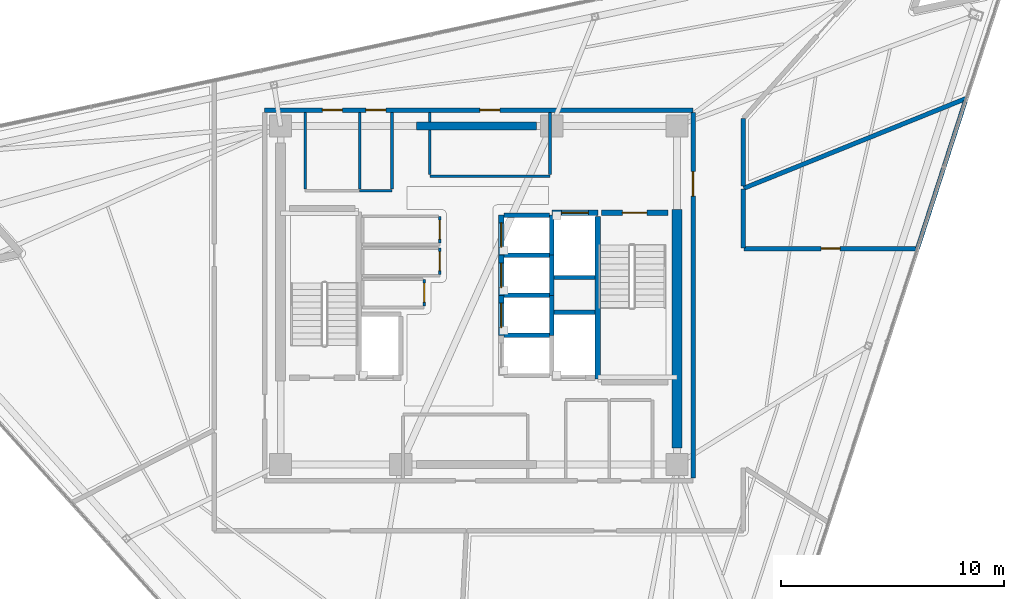
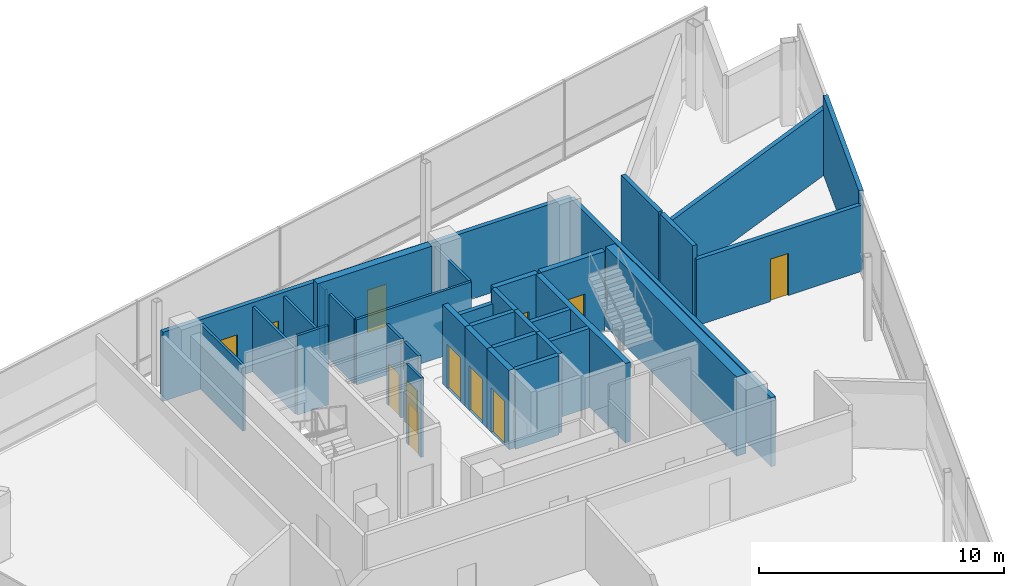
# One storey, part 12 of 17: 35 walls, 13 doors, 13 openings.
"""IFC4 building model written with IfcOpenShell, lengths in metres."""

from ifc_helpers import new_model, si_unit, direction, frame, frame_2d, origin, place, context, subcontext, project, spatial, rectangle, extrude, material, layer, layer_set, type_object, element, fill, save


model = new_model("IFC4")

# Units and contexts
model_context = context("Model", 3, precision=1e-05, world=origin(), true_north=direction((0.0, 1.0)))
body_context = subcontext(model_context, "Body", "Model", "MODEL_VIEW")
ifc_project = project(units=[si_unit("LENGTHUNIT", "METRE"), si_unit("AREAUNIT", "SQUARE_METRE"), si_unit("VOLUMEUNIT", "CUBIC_METRE"), si_unit("PLANEANGLEUNIT", "RADIAN"), si_unit("MASSUNIT", "GRAM", prefix="KILO")], contexts=[model_context])

# Site, building, storey
site_placement = place(None, origin())
site = spatial("IfcSite", under=ifc_project, at=site_placement, CompositionType="ELEMENT")
building_placement = place(site_placement, origin())
building = spatial("IfcBuilding", under=site, at=building_placement, Name="Tharavind Bronze Gate", CompositionType="ELEMENT")
storey_placement = place(building_placement, frame((0.0, 0.0, 298.0)))
storey = spatial("IfcBuildingStorey", under=building, at=storey_placement, Name="L77", CompositionType="ELEMENT", Elevation=298.0)

# Wall, openings, doors
ifc_material_1 = material(Name="Aerated Concrete Block", Category="concrete")
ifc_layer_1 = layer(ifc_material_1, 0.199951171875)
ifc_layer_set_1 = layer_set([ifc_layer_1], Name="Aerated Concrete Block")
wall_type_1 = type_object("IfcWallType", Name="FIRE RATED PARTITION 200", PredefinedType="PARTITIONING", material=ifc_layer_set_1)
wall_1_placement = place(storey_placement, frame((9.6201171875, 8.320068359375, 0.0), z_axis=(0.0, 0.0, 1.0), x_axis=(-1.0, 0.0, 0.0)))
wall_1 = element("IfcWall", 1, at=wall_1_placement, inside=storey, type_object=wall_type_1, Name="L77 north core corridor wall", PredefinedType="PARTITIONING", context=body_context, shape_type="SweptSolid", body=[
    extrude(rectangle(XDim=19.240234375, YDim=0.199951171875, at=frame_2d((9.6201171875, 0.0))), origin(), (0.0, 0.0, 1.0), 3.445068359375),
])
opening_1_placement = place(wall_1_placement, frame((8.669921875, 0.0, 0.0)))
opening_1 = element("IfcOpeningElement", 2, at=opening_1_placement, cuts=wall_1, Name="Opening ID07", PredefinedType="OPENING", context=body_context, shape_type="SweptSolid", body=[
    extrude(rectangle(XDim=0.89990234375, YDim=2.10009765625, at=frame_2d((0.449951171875, 1.050048828125))), frame((0.0, 0.11009765625, 0.0), z_axis=(0.0, -1.0, 0.0), x_axis=(1.0, 0.0, 0.0)), (0.0, 0.0, 1.0), 0.219951171875),
])
opening_2_placement = place(wall_1_placement, frame((15.7451171875, 0.0, 0.0)))
opening_2 = element("IfcOpeningElement", 3, at=opening_2_placement, cuts=wall_1, Name="Opening ID07", PredefinedType="OPENING", context=body_context, shape_type="SweptSolid", body=[
    extrude(rectangle(XDim=0.89990234375, YDim=2.10009765625, at=frame_2d((0.449951171875, 1.050048828125))), frame((0.0, 0.11009765625, 0.0), z_axis=(0.0, -1.0, 0.0), x_axis=(1.0, 0.0, 0.0)), (0.0, 0.0, 1.0), 0.219951171875),
])
opening_3_placement = place(wall_1_placement, frame((13.794921875, 0.0, 0.0)))
opening_3 = element("IfcOpeningElement", 4, at=opening_3_placement, cuts=wall_1, Name="Opening ID07", PredefinedType="OPENING", context=body_context, shape_type="SweptSolid", body=[
    extrude(rectangle(XDim=0.89990234375, YDim=2.10009765625, at=frame_2d((0.449951171875, 1.050048828125))), frame((0.0, 0.11009765625, 0.0), z_axis=(0.0, -1.0, 0.0), x_axis=(1.0, 0.0, 0.0)), (0.0, 0.0, 1.0), 0.219951171875),
])
ifc_material_2 = material(Name="Galvanised Fire Steel", Category="steel")
door_type_1 = type_object("IfcDoorType", Name="PLANT AND RISER FIRE DOOR 900X2100", OperationType="SINGLE_SWING_LEFT", PredefinedType="DOOR", material=ifc_material_2)
door_1_placement = place(opening_1_placement, origin())
door_1 = element("IfcDoor", 5, at=door_1_placement, inside=storey, type_object=door_type_1, Name="L77 Core Avionics Room fire door", OperationType="SINGLE_SWING_LEFT", OverallHeight=2.10009765625, OverallWidth=0.89990234375, PredefinedType="DOOR", context=body_context, shape_type="SweptSolid", body=[
    extrude(rectangle(XDim=0.89990234375, YDim=2.10009765625, at=frame_2d((0.449951171875, 1.050048828125))), frame((0.0, 0.02490234375, 0.0), z_axis=(0.0, -1.0, 0.0), x_axis=(1.0, 0.0, 0.0)), (0.0, 0.0, 1.0), 0.050048828125),
])
fill(opening_1, door_1)
door_2_placement = place(opening_2_placement, origin())
door_2 = element("IfcDoor", 6, at=door_2_placement, inside=storey, type_object=door_type_1, Name="L77 Electrical Metering Room fire door", OperationType="SINGLE_SWING_LEFT", OverallHeight=2.10009765625, OverallWidth=0.89990234375, PredefinedType="DOOR", context=body_context, shape_type="SweptSolid", body=[
    extrude(rectangle(XDim=0.89990234375, YDim=2.10009765625, at=frame_2d((0.449951171875, 1.050048828125))), frame((0.0, 0.02490234375, 0.0), z_axis=(0.0, -1.0, 0.0), x_axis=(1.0, 0.0, 0.0)), (0.0, 0.0, 1.0), 0.050048828125),
])
fill(opening_2, door_2)
door_3_placement = place(opening_3_placement, origin())
door_3 = element("IfcDoor", 7, at=door_3_placement, inside=storey, type_object=door_type_1, Name="L77 Linen Cupboard fire door", OperationType="SINGLE_SWING_LEFT", OverallHeight=2.10009765625, OverallWidth=0.89990234375, PredefinedType="DOOR", context=body_context, shape_type="SweptSolid", body=[
    extrude(rectangle(XDim=0.89990234375, YDim=2.10009765625, at=frame_2d((0.449951171875, 1.050048828125))), frame((0.0, 0.02490234375, 0.0), z_axis=(0.0, -1.0, 0.0), x_axis=(1.0, 0.0, 0.0)), (0.0, 0.0, 1.0), 0.050048828125),
])
fill(opening_3, door_3)

# Wall, opening, door
wall_2_placement = place(storey_placement, frame((9.6201171875, -8.199951171875, 0.0), z_axis=(0.0, 0.0, 1.0), x_axis=(0.0, 1.0, 0.0)))
wall_2 = element("IfcWall", 8, at=wall_2_placement, inside=storey, type_object=wall_type_1, Name="L77 east core corridor wall", PredefinedType="PARTITIONING", context=body_context, shape_type="SweptSolid", body=[
    extrude(rectangle(XDim=16.39990234375, YDim=0.199951171875, at=frame_2d((8.199951171875, 0.0))), origin(), (0.0, 0.0, 1.0), 3.445068359375),
])
opening_4_placement = place(wall_2_placement, frame((12.64990234375, 0.0, 0.0)))
opening_4 = element("IfcOpeningElement", 9, at=opening_4_placement, cuts=wall_2, Name="Opening ID01", PredefinedType="OPENING", context=body_context, shape_type="SweptSolid", body=[
    extrude(rectangle(XDim=1.10009765625, YDim=2.14990234375, at=frame_2d((0.550048828125, 1.074951171875))), frame((0.0, 0.11009765625, 0.0), z_axis=(0.0, -1.0, 0.0), x_axis=(1.0, 0.0, 0.0)), (0.0, 0.0, 1.0), 0.219951171875),
])
ifc_material_3 = material(Name="Fire-Rated Steel", Category="steel")
door_type_2 = type_object("IfcDoorType", Name="STAIR CORE FIRE DOOR 1100X2150", OperationType="SINGLE_SWING_LEFT", PredefinedType="DOOR", material=ifc_material_3)
door_4_placement = place(opening_4_placement, frame((1.10009765625, 0.0, 0.0), z_axis=(0.0, 0.0, 1.0), x_axis=(-1.0, 0.0, 0.0)))
door_4 = element("IfcDoor", 10, at=door_4_placement, inside=storey, type_object=door_type_2, Name="L77 north east stair lobby fire door", OperationType="SINGLE_SWING_LEFT", OverallHeight=2.14990234375, OverallWidth=1.10009765625, PredefinedType="DOOR", context=body_context, shape_type="SweptSolid", body=[
    extrude(rectangle(XDim=1.10009765625, YDim=2.14990234375, at=frame_2d((0.550048828125, 1.074951171875))), frame((0.0, 0.02490234375, 0.0), z_axis=(0.0, -1.0, 0.0), x_axis=(1.0, 0.0, 0.0)), (0.0, 0.0, 1.0), 0.050048828125),
])
fill(opening_4, door_4)

wall_3_placement = place(storey_placement, frame((19.6962890625, 2.10009765625, 0.0), z_axis=(0.0, 0.0, 1.0), x_axis=(-1.0, 0.0, 0.0)))
wall_3 = element("IfcWall", 11, at=wall_3_placement, inside=storey, type_object=wall_type_1, Name="L77 Public Restrooms Block partition", PredefinedType="PARTITIONING", context=body_context, shape_type="SweptSolid", body=[
    extrude(rectangle(XDim=7.791259765625, YDim=0.199951171875, at=frame_2d((3.8955078125, 0.0))), origin(), (0.0, 0.0, 1.0), 3.294921875),
])
opening_5_placement = place(wall_3_placement, frame((3.470947265625, 0.0, 0.0)))
opening_5 = element("IfcOpeningElement", 12, at=opening_5_placement, cuts=wall_3, Name="Opening ID06", PredefinedType="OPENING", context=body_context, shape_type="SweptSolid", body=[
    extrude(rectangle(XDim=0.85009765625, YDim=2.10009765625, at=frame_2d((0.425048828125, 1.050048828125))), frame((0.0, 0.11009765625, 0.0), z_axis=(0.0, -1.0, 0.0), x_axis=(1.0, 0.0, 0.0)), (0.0, 0.0, 1.0), 0.219951171875),
])
ifc_material_4 = material(Name="Moisture-Resistant Timber", Category="wood")
door_type_3 = type_object("IfcDoorType", Name="BATHROOM PRIVACY DOOR 850X2100", OperationType="SINGLE_SWING_RIGHT", PredefinedType="DOOR", material=ifc_material_4)
door_5_placement = place(opening_5_placement, origin())
door_5 = element("IfcDoor", 13, at=door_5_placement, inside=storey, type_object=door_type_3, Name="L77 Public Restrooms Block door", OperationType="SINGLE_SWING_RIGHT", OverallHeight=2.10009765625, OverallWidth=0.85009765625, PredefinedType="DOOR", context=body_context, shape_type="SweptSolid", body=[
    extrude(rectangle(XDim=0.85009765625, YDim=2.10009765625, at=frame_2d((0.425048828125, 1.050048828125))), frame((0.0, 0.02490234375, 0.0), z_axis=(0.0, -1.0, 0.0), x_axis=(1.0, 0.0, 0.0)), (0.0, 0.0, 1.0), 0.050048828125),
])
fill(opening_5, door_5)

# Walls
wall_4_placement = place(storey_placement, frame((11.8798828125, 2.125, 0.0), z_axis=(0.0, 0.0, 1.0), x_axis=(0.0, 1.0, 0.0)))
element("IfcWall", 14, at=wall_4_placement, inside=storey, type_object=wall_type_1, Name="L77 Public Restrooms Block partition", PredefinedType="PARTITIONING", context=body_context, shape_type="SweptSolid", body=[
    extrude(rectangle(XDim=2.657958984375, YDim=0.199951171875, at=frame_2d((1.3291015625, 0.0))), origin(), (0.0, 0.0, 1.0), 3.949951171875),
])
wall_5_placement = place(storey_placement, frame((11.8955078125, 4.80615234375, 0.0), z_axis=(0.0, 0.0, 1.0), x_axis=(0.927185249844, 0.374603139964, 0.0)))
element("IfcWall", 15, at=wall_5_placement, inside=storey, type_object=wall_type_1, Name="L77 Public Restrooms Block partition", PredefinedType="PARTITIONING", context=body_context, shape_type="SweptSolid", body=[
    extrude(rectangle(XDim=10.7763671875, YDim=0.199951171875, at=frame_2d((5.38818359375, 0.0))), origin(), (0.0, 0.0, 1.0), 3.294921875),
])
wall_6_placement = place(storey_placement, frame((21.8447265625, 8.712646484375, 0.0), z_axis=(0.0, 0.0, 1.0), x_axis=(-0.308995466212, -0.95106351095, 0.0)))
element("IfcWall", 16, at=wall_6_placement, inside=storey, type_object=wall_type_1, Name="L77 Public Restrooms Block partition", PredefinedType="PARTITIONING", context=body_context, shape_type="SweptSolid", body=[
    extrude(rectangle(XDim=6.94580078125, YDim=0.199951171875, at=frame_2d((3.472900390625, 0.0))), origin(), (0.0, 0.0, 1.0), 3.949951171875),
])
wall_7_placement = place(storey_placement, frame((11.8798828125, 4.9130859375, 0.0), z_axis=(0.0, 0.0, 1.0), x_axis=(0.0, 1.0, 0.0)))
element("IfcWall", 17, at=wall_7_placement, inside=storey, type_object=wall_type_1, Name="L77 Crown Horizon Restaurant partition", PredefinedType="PARTITIONING", context=body_context, shape_type="SweptSolid", body=[
    extrude(rectangle(XDim=3.023193359375, YDim=0.199951171875, at=frame_2d((1.51171875, 0.0))), origin(), (0.0, 0.0, 1.0), 3.949951171875),
])

# Wall, opening, door
ifc_material_5 = material(Name="Metal Stud Gypsum Partition", Category="gypsum")
ifc_layer_2 = layer(ifc_material_5, 0.1201171875)
ifc_layer_set_2 = layer_set([ifc_layer_2], Name="Metal Stud Gypsum Partition")
wall_type_2 = type_object("IfcWallType", Name="INTERIOR PARTITION WALL 120", PredefinedType="PARTITIONING", material=ifc_layer_set_2)
wall_8_placement = place(storey_placement, frame((-1.75, 2.344970703125, 0.0), z_axis=(0.0, 0.0, 1.0), x_axis=(0.0, 1.0, 0.0)))
wall_8 = element("IfcWall", 18, at=wall_8_placement, inside=storey, type_object=wall_type_2, Name="L77 Housekeeping Linen Store partition 2", PredefinedType="PARTITIONING", context=body_context, shape_type="SweptSolid", body=[
    extrude(rectangle(XDim=1.205078125, YDim=0.1201171875, at=frame_2d((0.6025390625, 0.0))), origin(), (0.0, 0.0, 1.0), 3.949951171875),
])
opening_6_placement = place(wall_8_placement, frame((0.177001953125, 0.0, 0.0)))
opening_6 = element("IfcOpeningElement", 19, at=opening_6_placement, cuts=wall_8, Name="Opening ID06", PredefinedType="OPENING", context=body_context, shape_type="SweptSolid", body=[
    extrude(rectangle(XDim=0.85009765625, YDim=2.10009765625, at=frame_2d((0.425048828125, 1.050048828125))), frame((0.0, 0.07005859375, 0.0), z_axis=(0.0, -1.0, 0.0), x_axis=(1.0, 0.0, 0.0)), (0.0, 0.0, 1.0), 0.1401171875),
])
door_6_placement = place(opening_6_placement, frame((0.85009765625, 0.0, 0.0), z_axis=(0.0, 0.0, 1.0), x_axis=(-1.0, 0.0, 0.0)))
door_6 = element("IfcDoor", 20, at=door_6_placement, inside=storey, type_object=door_type_3, Name="L77 Housekeeping Linen Store door", OperationType="SINGLE_SWING_RIGHT", OverallHeight=2.10009765625, OverallWidth=0.85009765625, PredefinedType="DOOR", context=body_context, shape_type="SweptSolid", body=[
    extrude(rectangle(XDim=0.85009765625, YDim=2.10009765625, at=frame_2d((0.425048828125, 1.050048828125))), frame((0.0, 0.02490234375, 0.0), z_axis=(0.0, -1.0, 0.0), x_axis=(1.0, 0.0, 0.0)), (0.0, 0.0, 1.0), 0.050048828125),
])
fill(opening_6, door_6)

wall_9_placement = place(storey_placement, frame((-1.75, 0.945068359375, 0.0), z_axis=(0.0, 0.0, 1.0), x_axis=(0.0, 1.0, 0.0)))
wall_9 = element("IfcWall", 21, at=wall_9_placement, inside=storey, type_object=wall_type_2, Name="L77 Comms Data Room partition 2", PredefinedType="PARTITIONING", context=body_context, shape_type="SweptSolid", body=[
    extrude(rectangle(XDim=1.175048828125, YDim=0.1201171875, at=frame_2d((0.58740234375, 0.0))), origin(), (0.0, 0.0, 1.0), 3.949951171875),
])
opening_7_placement = place(wall_9_placement, frame((0.1630859375, 0.0, 0.0)))
opening_7 = element("IfcOpeningElement", 22, at=opening_7_placement, cuts=wall_9, Name="Opening ID06", PredefinedType="OPENING", context=body_context, shape_type="SweptSolid", body=[
    extrude(rectangle(XDim=0.85009765625, YDim=2.10009765625, at=frame_2d((0.425048828125, 1.050048828125))), frame((0.0, 0.07005859375, 0.0), z_axis=(0.0, -1.0, 0.0), x_axis=(1.0, 0.0, 0.0)), (0.0, 0.0, 1.0), 0.1401171875),
])
door_7_placement = place(opening_7_placement, frame((0.85009765625, 0.0, 0.0), z_axis=(0.0, 0.0, 1.0), x_axis=(-1.0, 0.0, 0.0)))
door_7 = element("IfcDoor", 23, at=door_7_placement, inside=storey, type_object=door_type_3, Name="L77 Comms Data Room door", OperationType="SINGLE_SWING_RIGHT", OverallHeight=2.10009765625, OverallWidth=0.85009765625, PredefinedType="DOOR", context=body_context, shape_type="SweptSolid", body=[
    extrude(rectangle(XDim=0.85009765625, YDim=2.10009765625, at=frame_2d((0.425048828125, 1.050048828125))), frame((0.0, 0.02490234375, 0.0), z_axis=(0.0, -1.0, 0.0), x_axis=(1.0, 0.0, 0.0)), (0.0, 0.0, 1.0), 0.050048828125),
])
fill(opening_7, door_7)

wall_10_placement = place(storey_placement, frame((-2.449951171875, -0.485107421875, 0.0), z_axis=(0.0, 0.0, 1.0), x_axis=(0.0, 1.0, 0.0)))
wall_10 = element("IfcWall", 24, at=wall_10_placement, inside=storey, type_object=wall_type_2, Name="L77 Electrical Metering Store partition 2", PredefinedType="PARTITIONING", context=body_context, shape_type="SweptSolid", body=[
    extrude(rectangle(XDim=1.205078125, YDim=0.1201171875, at=frame_2d((0.6025390625, 0.0))), origin(), (0.0, 0.0, 1.0), 3.949951171875),
])
opening_8_placement = place(wall_10_placement, frame((0.177978515625, 0.0, 0.0)))
opening_8 = element("IfcOpeningElement", 25, at=opening_8_placement, cuts=wall_10, Name="Opening ID06", PredefinedType="OPENING", context=body_context, shape_type="SweptSolid", body=[
    extrude(rectangle(XDim=0.85009765625, YDim=2.10009765625, at=frame_2d((0.425048828125, 1.050048828125))), frame((0.0, 0.07005859375, 0.0), z_axis=(0.0, -1.0, 0.0), x_axis=(1.0, 0.0, 0.0)), (0.0, 0.0, 1.0), 0.1401171875),
])
door_8_placement = place(opening_8_placement, frame((0.85009765625, 0.0, 0.0), z_axis=(0.0, 0.0, 1.0), x_axis=(-1.0, 0.0, 0.0)))
door_8 = element("IfcDoor", 26, at=door_8_placement, inside=storey, type_object=door_type_3, Name="L77 Electrical Metering Store door", OperationType="SINGLE_SWING_RIGHT", OverallHeight=2.10009765625, OverallWidth=0.85009765625, PredefinedType="DOOR", context=body_context, shape_type="SweptSolid", body=[
    extrude(rectangle(XDim=0.85009765625, YDim=2.10009765625, at=frame_2d((0.425048828125, 1.050048828125))), frame((0.0, 0.02490234375, 0.0), z_axis=(0.0, -1.0, 0.0), x_axis=(1.0, 0.0, 0.0)), (0.0, 0.0, 1.0), 0.050048828125),
])
fill(opening_8, door_8)

# Walls
wall_11_placement = place(storey_placement, frame((-2.199951171875, 5.35009765625, 0.0), z_axis=(0.0, 0.0, 1.0), x_axis=(1.0, 0.0, 0.0)))
element("IfcWall", 27, at=wall_11_placement, inside=storey, type_object=wall_type_2, Name="L77 Core Avionics Room partition 1", PredefinedType="PARTITIONING", context=body_context, shape_type="SweptSolid", body=[
    extrude(rectangle(XDim=5.39990234375, YDim=0.1201171875, at=frame_2d((2.699951171875, 0.0))), origin(), (0.0, 0.0, 1.0), 3.2451171875),
])
wall_12_placement = place(storey_placement, frame((3.199951171875, 5.4150390625, 0.0), z_axis=(0.0, 0.0, 1.0), x_axis=(0.0, 1.0, 0.0)))
element("IfcWall", 28, at=wall_12_placement, inside=storey, type_object=wall_type_2, Name="L77 Core Avionics Room partition 2", PredefinedType="PARTITIONING", context=body_context, shape_type="SweptSolid", body=[
    extrude(rectangle(XDim=2.800048828125, YDim=0.1201171875, at=frame_2d((1.39990234375, 0.0))), origin(), (0.0, 0.0, 1.0), 3.2451171875),
])
wall_13_placement = place(storey_placement, frame((-2.199951171875, 8.215087890625, 0.0), z_axis=(0.0, 0.0, 1.0), x_axis=(0.0, -1.0, 0.0)))
element("IfcWall", 29, at=wall_13_placement, inside=storey, type_object=wall_type_2, Name="L77 Core Avionics Room partition 4", PredefinedType="PARTITIONING", context=body_context, shape_type="SweptSolid", body=[
    extrude(rectangle(XDim=0.43505859375, YDim=0.1201171875, at=frame_2d((0.217529296875, 0.0))), origin(), (0.0, 0.0, 1.0), 3.2451171875),
])
wall_14_placement = place(storey_placement, frame((-2.199951171875, 7.419921875, 0.0), z_axis=(0.0, 0.0, 1.0), x_axis=(0.0, -1.0, 0.0)))
element("IfcWall", 30, at=wall_14_placement, inside=storey, type_object=wall_type_2, Name="L77 Core Avionics Room partition 4", PredefinedType="PARTITIONING", context=body_context, shape_type="SweptSolid", body=[
    extrude(rectangle(XDim=2.0048828125, YDim=0.1201171875, at=frame_2d((1.00244140625, 0.0))), origin(), (0.0, 0.0, 1.0), 3.2451171875),
])
for number, where, z_axis, x_axis, name in (
    (31, (-5.35009765625, 4.764892578125, 0.0), (0.0, 0.0, 1.0), (0.0, 1.0, 0.0), "L77 Electrical Metering Room partition 2"),
    (32, (-7.800048828125, 8.215087890625, 0.0), (0.0, 0.0, 1.0), (0.0, -1.0, 0.0), "L77 Electrical Metering Room partition 4"),
):
    element("IfcWall", number, at=place(storey_placement, frame(where, z_axis=z_axis, x_axis=x_axis)), inside=storey, type_object=wall_type_2, Name=name, PredefinedType="PARTITIONING", context=body_context, shape_type="SweptSolid", body=[
        extrude(rectangle(XDim=3.4501953125, YDim=0.1201171875, at=frame_2d((1.72509765625, 0.0))), origin(), (0.0, 0.0, 1.0), 3.2451171875),
    ])
wall_15_placement = place(storey_placement, frame((-5.35009765625, 4.699951171875, 0.0), z_axis=(0.0, 0.0, 1.0), x_axis=(1.0, 0.0, 0.0)))
element("IfcWall", 33, at=wall_15_placement, inside=storey, type_object=wall_type_2, Name="L77 Linen Cupboard partition 1", PredefinedType="PARTITIONING", context=body_context, shape_type="SweptSolid", body=[
    extrude(rectangle(XDim=1.4501953125, YDim=0.1201171875, at=frame_2d((0.72509765625, 0.0))), origin(), (0.0, 0.0, 1.0), 3.949951171875),
])
wall_16_placement = place(storey_placement, frame((-3.89990234375, 4.764892578125, 0.0), z_axis=(0.0, 0.0, 1.0), x_axis=(0.0, 1.0, 0.0)))
element("IfcWall", 34, at=wall_16_placement, inside=storey, type_object=wall_type_2, Name="L77 Linen Cupboard partition 2", PredefinedType="PARTITIONING", context=body_context, shape_type="SweptSolid", body=[
    extrude(rectangle(XDim=3.4501953125, YDim=0.1201171875, at=frame_2d((1.72509765625, 0.0))), origin(), (0.0, 0.0, 1.0), 3.2451171875),
])
ifc_material_6 = material(Name="Concrete C50/60", Category="concrete")
ifc_layer_3 = layer(ifc_material_6, 0.25)
ifc_layer_set_3 = layer_set([ifc_layer_3], Name="Concrete C50/60")
wall_type_3 = type_object("IfcWallType", Name="RC CORE SHEAR WALL 250", PredefinedType="SHEAR", material=ifc_layer_set_3)
wall_17_placement = place(storey_placement, frame((5.35009765625, -3.75, 0.0), z_axis=(0.0, 0.0, 1.0), x_axis=(0.0, 1.0, 0.0)))
element("IfcWall", 35, at=wall_17_placement, inside=storey, type_object=wall_type_3, Name="L77 ST2 shaft west wall", PredefinedType="SHEAR", context=body_context, shape_type="SweptSolid", body=[
    extrude(rectangle(XDim=7.300048828125, YDim=0.25, at=frame_2d((3.64990234375, 0.0))), origin(), (0.0, 0.0, 1.0), 3.949951171875),
])

# Wall, opening, door
wall_18_placement = place(storey_placement, frame((5.5, 3.699951171875, 0.0), z_axis=(0.0, 0.0, 1.0), x_axis=(1.0, 0.0, 0.0)))
wall_18 = element("IfcWall", 36, at=wall_18_placement, inside=storey, type_object=wall_type_3, Name="L77 ST2 shaft north wall", PredefinedType="SHEAR", context=body_context, shape_type="SweptSolid", body=[
    extrude(rectangle(XDim=3.0, YDim=0.25, at=frame_2d((1.5, 0.0))), origin(), (0.0, 0.0, 1.0), 3.949951171875),
])
opening_9_placement = place(wall_18_placement, frame((0.949951171875, 0.0, 0.0)))
opening_9 = element("IfcOpeningElement", 37, at=opening_9_placement, cuts=wall_18, Name="Opening ID01", PredefinedType="OPENING", context=body_context, shape_type="SweptSolid", body=[
    extrude(rectangle(XDim=1.10009765625, YDim=2.14990234375, at=frame_2d((0.550048828125, 1.074951171875))), frame((0.0, 0.135, 0.0), z_axis=(0.0, -1.0, 0.0), x_axis=(1.0, 0.0, 0.0)), (0.0, 0.0, 1.0), 0.27),
])
door_9_placement = place(opening_9_placement, frame((1.10009765625, 0.0, 0.0), z_axis=(0.0, 0.0, 1.0), x_axis=(-1.0, 0.0, 0.0)))
door_9 = element("IfcDoor", 38, at=door_9_placement, inside=storey, type_object=door_type_2, Name="L77 exit stair ST2 fire door", OperationType="SINGLE_SWING_LEFT", OverallHeight=2.14990234375, OverallWidth=1.10009765625, PredefinedType="DOOR", context=body_context, shape_type="SweptSolid", body=[
    extrude(rectangle(XDim=1.10009765625, YDim=2.14990234375, at=frame_2d((0.550048828125, 1.074951171875))), frame((0.0, 0.02490234375, 0.0), z_axis=(0.0, -1.0, 0.0), x_axis=(1.0, 0.0, 0.0)), (0.0, 0.0, 1.0), 0.050048828125),
])
fill(opening_9, door_9)

wall_19_placement = place(storey_placement, frame((1.0, -1.800048828125, 0.0), z_axis=(0.0, 0.0, 1.0), x_axis=(0.0, 1.0, 0.0)))
wall_19 = element("IfcWall", 39, at=wall_19_placement, inside=storey, type_object=wall_type_3, Name="L77 lift PL10 shaft front wall", PredefinedType="SHEAR", context=body_context, shape_type="SweptSolid", body=[
    extrude(rectangle(XDim=1.800048828125, YDim=0.25, at=frame_2d((0.89990234375, 0.0))), origin(), (0.0, 0.0, 1.0), 3.949951171875),
])
opening_10_placement = place(wall_19_placement, frame((0.35009765625, 0.0, 0.0)))
opening_10 = element("IfcOpeningElement", 40, at=opening_10_placement, cuts=wall_19, Name="Opening LD01", PredefinedType="OPENING", context=body_context, shape_type="SweptSolid", body=[
    extrude(rectangle(XDim=1.10009765625, YDim=2.199951171875, at=frame_2d((0.550048828125, 1.10009765625))), frame((0.0, 0.135, 0.0), z_axis=(0.0, -1.0, 0.0), x_axis=(1.0, 0.0, 0.0)), (0.0, 0.0, 1.0), 0.27),
])
ifc_material_7 = material(Name="Brushed Bronze Stainless Steel", Category="steel")
door_type_4 = type_object("IfcDoorType", Name="LIFT LANDING SLIDING DOOR 1100X2200", OperationType="SLIDING_TO_LEFT", PredefinedType="DOOR", material=ifc_material_7)
door_10_placement = place(opening_10_placement, origin())
door_10 = element("IfcDoor", 41, at=door_10_placement, inside=storey, type_object=door_type_4, Name="L77 lift PL10 sliding landing door", OperationType="SLIDING_TO_LEFT", OverallHeight=2.199951171875, OverallWidth=1.10009765625, PredefinedType="DOOR", context=body_context, shape_type="SweptSolid", body=[
    extrude(rectangle(XDim=1.10009765625, YDim=2.199951171875, at=frame_2d((0.550048828125, 1.10009765625))), frame((0.0, 0.02490234375, 0.0), z_axis=(0.0, -1.0, 0.0), x_axis=(1.0, 0.0, 0.0)), (0.0, 0.0, 1.0), 0.050048828125),
])
fill(opening_10, door_10)

wall_20_placement = place(storey_placement, frame((1.0, 0.0, 0.0), z_axis=(0.0, 0.0, 1.0), x_axis=(0.0, 1.0, 0.0)))
wall_20 = element("IfcWall", 42, at=wall_20_placement, inside=storey, type_object=wall_type_3, Name="L77 lift PL11 shaft front wall", PredefinedType="SHEAR", context=body_context, shape_type="SweptSolid", body=[
    extrude(rectangle(XDim=1.800048828125, YDim=0.25, at=frame_2d((0.89990234375, 0.0))), origin(), (0.0, 0.0, 1.0), 3.949951171875),
])
opening_11_placement = place(wall_20_placement, frame((0.35009765625, 0.0, 0.0)))
opening_11 = element("IfcOpeningElement", 43, at=opening_11_placement, cuts=wall_20, Name="Opening LD01", PredefinedType="OPENING", context=body_context, shape_type="SweptSolid", body=[
    extrude(rectangle(XDim=1.10009765625, YDim=2.199951171875, at=frame_2d((0.550048828125, 1.10009765625))), frame((0.0, 0.135, 0.0), z_axis=(0.0, -1.0, 0.0), x_axis=(1.0, 0.0, 0.0)), (0.0, 0.0, 1.0), 0.27),
])
door_11_placement = place(opening_11_placement, origin())
door_11 = element("IfcDoor", 44, at=door_11_placement, inside=storey, type_object=door_type_4, Name="L77 lift PL11 sliding landing door", OperationType="SLIDING_TO_LEFT", OverallHeight=2.199951171875, OverallWidth=1.10009765625, PredefinedType="DOOR", context=body_context, shape_type="SweptSolid", body=[
    extrude(rectangle(XDim=1.10009765625, YDim=2.199951171875, at=frame_2d((0.550048828125, 1.10009765625))), frame((0.0, 0.02490234375, 0.0), z_axis=(0.0, -1.0, 0.0), x_axis=(1.0, 0.0, 0.0)), (0.0, 0.0, 1.0), 0.050048828125),
])
fill(opening_11, door_11)

wall_21_placement = place(storey_placement, frame((1.0, 1.800048828125, 0.0), z_axis=(0.0, 0.0, 1.0), x_axis=(0.0, 1.0, 0.0)))
wall_21 = element("IfcWall", 45, at=wall_21_placement, inside=storey, type_object=wall_type_3, Name="L77 lift PL12 shaft front wall", PredefinedType="SHEAR", context=body_context, shape_type="SweptSolid", body=[
    extrude(rectangle(XDim=1.800048828125, YDim=0.25, at=frame_2d((0.89990234375, 0.0))), origin(), (0.0, 0.0, 1.0), 3.949951171875),
])
opening_12_placement = place(wall_21_placement, frame((0.35009765625, 0.0, 0.0)))
opening_12 = element("IfcOpeningElement", 46, at=opening_12_placement, cuts=wall_21, Name="Opening LD01", PredefinedType="OPENING", context=body_context, shape_type="SweptSolid", body=[
    extrude(rectangle(XDim=1.10009765625, YDim=2.199951171875, at=frame_2d((0.550048828125, 1.10009765625))), frame((0.0, 0.135, 0.0), z_axis=(0.0, -1.0, 0.0), x_axis=(1.0, 0.0, 0.0)), (0.0, 0.0, 1.0), 0.27),
])
door_12_placement = place(opening_12_placement, origin())
door_12 = element("IfcDoor", 47, at=door_12_placement, inside=storey, type_object=door_type_4, Name="L77 lift PL12 sliding landing door", OperationType="SLIDING_TO_LEFT", OverallHeight=2.199951171875, OverallWidth=1.10009765625, PredefinedType="DOOR", context=body_context, shape_type="SweptSolid", body=[
    extrude(rectangle(XDim=1.10009765625, YDim=2.199951171875, at=frame_2d((0.550048828125, 1.10009765625))), frame((0.0, 0.02490234375, 0.0), z_axis=(0.0, -1.0, 0.0), x_axis=(1.0, 0.0, 0.0)), (0.0, 0.0, 1.0), 0.050048828125),
])
fill(opening_12, door_12)

wall_22_placement = place(storey_placement, frame((3.280029296875, 3.699951171875, 0.0), z_axis=(0.0, 0.0, 1.0), x_axis=(1.0, 0.0, 0.0)))
wall_22 = element("IfcWall", 48, at=wall_22_placement, inside=storey, type_object=wall_type_3, Name="L77 lift FFL2 shaft front wall", PredefinedType="SHEAR", context=body_context, shape_type="SweptSolid", body=[
    extrude(rectangle(XDim=2.070068359375, YDim=0.25, at=frame_2d((1.03515625, 0.0))), origin(), (0.0, 0.0, 1.0), 3.949951171875),
])
opening_13_placement = place(wall_22_placement, frame((0.43505859375, 0.0, 0.0)))
opening_13 = element("IfcOpeningElement", 49, at=opening_13_placement, cuts=wall_22, Name="Opening LD02", PredefinedType="OPENING", context=body_context, shape_type="SweptSolid", body=[
    extrude(rectangle(XDim=1.199951171875, YDim=2.199951171875, at=frame_2d((0.60009765625, 1.10009765625))), frame((0.0, 0.135, 0.0), z_axis=(0.0, -1.0, 0.0), x_axis=(1.0, 0.0, 0.0)), (0.0, 0.0, 1.0), 0.27),
])
ifc_material_8 = material(Name="Brushed Stainless Steel", Category="steel")
door_type_5 = type_object("IfcDoorType", Name="FIREFIGHTING LIFT LANDING DOOR 1200X2200", OperationType="SLIDING_TO_RIGHT", PredefinedType="DOOR", material=ifc_material_8)
door_13_placement = place(opening_13_placement, origin())
door_13 = element("IfcDoor", 50, at=door_13_placement, inside=storey, type_object=door_type_5, Name="L77 lift FFL2 sliding landing door", OperationType="SLIDING_TO_RIGHT", OverallHeight=2.199951171875, OverallWidth=1.199951171875, PredefinedType="DOOR", context=body_context, shape_type="SweptSolid", body=[
    extrude(rectangle(XDim=1.199951171875, YDim=2.199951171875, at=frame_2d((0.60009765625, 1.10009765625))), frame((0.0, 0.02490234375, 0.0), z_axis=(0.0, -1.0, 0.0), x_axis=(1.0, 0.0, 0.0)), (0.0, 0.0, 1.0), 0.050048828125),
])
fill(opening_13, door_13)

# Walls
ifc_layer_4 = layer(ifc_material_6, 0.35009765625)
ifc_layer_set_4 = layer_set([ifc_layer_4], Name="Concrete C50/60")
wall_type_4 = type_object("IfcWallType", Name="RC CORE SHEAR WALL 350", PredefinedType="SHEAR", material=ifc_layer_set_4)
wall_23_placement = place(storey_placement, frame((-2.800048828125, 7.60009765625, 0.0), z_axis=(0.0, 0.0, 1.0), x_axis=(1.0, 0.0, 0.0)))
element("IfcWall", 51, at=wall_23_placement, inside=storey, type_object=wall_type_4, Name="L77 north core shear wall", PredefinedType="SHEAR", context=body_context, shape_type="SweptSolid", body=[
    extrude(rectangle(XDim=5.380126953125, YDim=0.35009765625, at=frame_2d((2.68994140625, 0.0))), origin(), (0.0, 0.0, 1.0), 3.949951171875),
])
ifc_material_9 = material(Name="Concrete C60/75", Category="concrete")
ifc_layer_5 = layer(ifc_material_9, 0.449951171875)
ifc_layer_set_5 = layer_set([ifc_layer_5], Name="Concrete C60/75")
wall_type_5 = type_object("IfcWallType", Name="RC CORE SHEAR WALL 450", PredefinedType="SHEAR", material=ifc_layer_set_5)
wall_24_placement = place(storey_placement, frame((8.89990234375, -6.85009765625, 0.0), z_axis=(0.0, 0.0, 1.0), x_axis=(0.0, 1.0, 0.0)))
element("IfcWall", 52, at=wall_24_placement, inside=storey, type_object=wall_type_5, Name="L77 east core shear wall", PredefinedType="SHEAR", context=body_context, shape_type="SweptSolid", body=[
    extrude(rectangle(XDim=10.7001953125, YDim=0.449951171875, at=frame_2d((5.35009765625, 0.0))), origin(), (0.0, 0.0, 1.0), 3.949951171875),
])
ifc_material_10 = material(Name="Concrete C40/50", Category="concrete")
ifc_layer_6 = layer(ifc_material_10, 0.199951171875)
ifc_layer_set_6 = layer_set([ifc_layer_6], Name="Concrete C40/50")
wall_type_6 = type_object("IfcWallType", Name="SHAFT ENCLOSURE WALL 200", PredefinedType="PARTITIONING", material=ifc_layer_set_6)
wall_25_placement = place(storey_placement, frame((1.1298828125, -1.800048828125, 0.0), z_axis=(0.0, 0.0, 1.0), x_axis=(1.0, 0.0, 0.0)))
element("IfcWall", 53, at=wall_25_placement, inside=storey, type_object=wall_type_6, Name="L77 lift PL9 shaft N enclosure wall", PredefinedType="PARTITIONING", context=body_context, shape_type="SweptSolid", body=[
    extrude(rectangle(XDim=2.045166015625, YDim=0.199951171875, at=frame_2d((1.0224609375, 0.0))), origin(), (0.0, 0.0, 1.0), 3.949951171875),
])
wall_26_placement = place(storey_placement, frame((3.280029296875, -1.800048828125, 0.0), z_axis=(0.0, 0.0, 1.0), x_axis=(0.0, 1.0, 0.0)))
element("IfcWall", 54, at=wall_26_placement, inside=storey, type_object=wall_type_6, Name="L77 lift PL10 shaft E enclosure wall", PredefinedType="PARTITIONING", context=body_context, shape_type="SweptSolid", body=[
    extrude(rectangle(XDim=1.800048828125, YDim=0.199951171875, at=frame_2d((0.89990234375, 0.0))), origin(), (0.0, 0.0, 1.0), 3.949951171875),
])
wall_27_placement = place(storey_placement, frame((1.1298828125, 0.0, 0.0), z_axis=(0.0, 0.0, 1.0), x_axis=(1.0, 0.0, 0.0)))
element("IfcWall", 55, at=wall_27_placement, inside=storey, type_object=wall_type_6, Name="L77 lift PL10 shaft N enclosure wall", PredefinedType="PARTITIONING", context=body_context, shape_type="SweptSolid", body=[
    extrude(rectangle(XDim=2.045166015625, YDim=0.199951171875, at=frame_2d((1.0224609375, 0.0))), origin(), (0.0, 0.0, 1.0), 3.949951171875),
])
wall_28_placement = place(storey_placement, frame((3.280029296875, 0.0, 0.0), z_axis=(0.0, 0.0, 1.0), x_axis=(0.0, 1.0, 0.0)))
element("IfcWall", 56, at=wall_28_placement, inside=storey, type_object=wall_type_6, Name="L77 lift PL11 shaft E enclosure wall", PredefinedType="PARTITIONING", context=body_context, shape_type="SweptSolid", body=[
    extrude(rectangle(XDim=1.800048828125, YDim=0.199951171875, at=frame_2d((0.89990234375, 0.0))), origin(), (0.0, 0.0, 1.0), 3.949951171875),
])
wall_29_placement = place(storey_placement, frame((1.1298828125, 1.800048828125, 0.0), z_axis=(0.0, 0.0, 1.0), x_axis=(1.0, 0.0, 0.0)))
element("IfcWall", 57, at=wall_29_placement, inside=storey, type_object=wall_type_6, Name="L77 lift PL11 shaft N enclosure wall", PredefinedType="PARTITIONING", context=body_context, shape_type="SweptSolid", body=[
    extrude(rectangle(XDim=2.045166015625, YDim=0.199951171875, at=frame_2d((1.0224609375, 0.0))), origin(), (0.0, 0.0, 1.0), 3.949951171875),
])
wall_30_placement = place(storey_placement, frame((3.280029296875, 1.800048828125, 0.0), z_axis=(0.0, 0.0, 1.0), x_axis=(0.0, 1.0, 0.0)))
element("IfcWall", 58, at=wall_30_placement, inside=storey, type_object=wall_type_6, Name="L77 lift PL12 shaft E enclosure wall", PredefinedType="PARTITIONING", context=body_context, shape_type="SweptSolid", body=[
    extrude(rectangle(XDim=1.800048828125, YDim=0.199951171875, at=frame_2d((0.89990234375, 0.0))), origin(), (0.0, 0.0, 1.0), 3.949951171875),
])
wall_31_placement = place(storey_placement, frame((1.1298828125, 3.60009765625, 0.0), z_axis=(0.0, 0.0, 1.0), x_axis=(1.0, 0.0, 0.0)))
element("IfcWall", 59, at=wall_31_placement, inside=storey, type_object=wall_type_6, Name="L77 lift PL12 shaft N enclosure wall", PredefinedType="PARTITIONING", context=body_context, shape_type="SweptSolid", body=[
    extrude(rectangle(XDim=2.045166015625, YDim=0.199951171875, at=frame_2d((1.0224609375, 0.0))), origin(), (0.0, 0.0, 1.0), 3.2451171875),
])
for number, where, z_axis, x_axis, name in (
    (60, (3.385009765625, 0.800048828125, 0.0), (0.0, 0.0, 1.0), (1.0, 0.0, 0.0), "L77 lift FFL2 shaft S enclosure wall"),
    (61, (3.385009765625, -0.75, 0.0), (0.0, 0.0, 1.0), (1.0, 0.0, 0.0), "L77 lift SVL1 shaft N enclosure wall"),
):
    element("IfcWall", number, at=place(storey_placement, frame(where, z_axis=z_axis, x_axis=x_axis)), inside=storey, type_object=wall_type_6, Name=name, PredefinedType="PARTITIONING", context=body_context, shape_type="SweptSolid", body=[
        extrude(rectangle(XDim=1.8349609375, YDim=0.199951171875, at=frame_2d((0.91748046875, 0.0))), origin(), (0.0, 0.0, 1.0), 3.949951171875),
    ])

save(model, "model.ifc")
